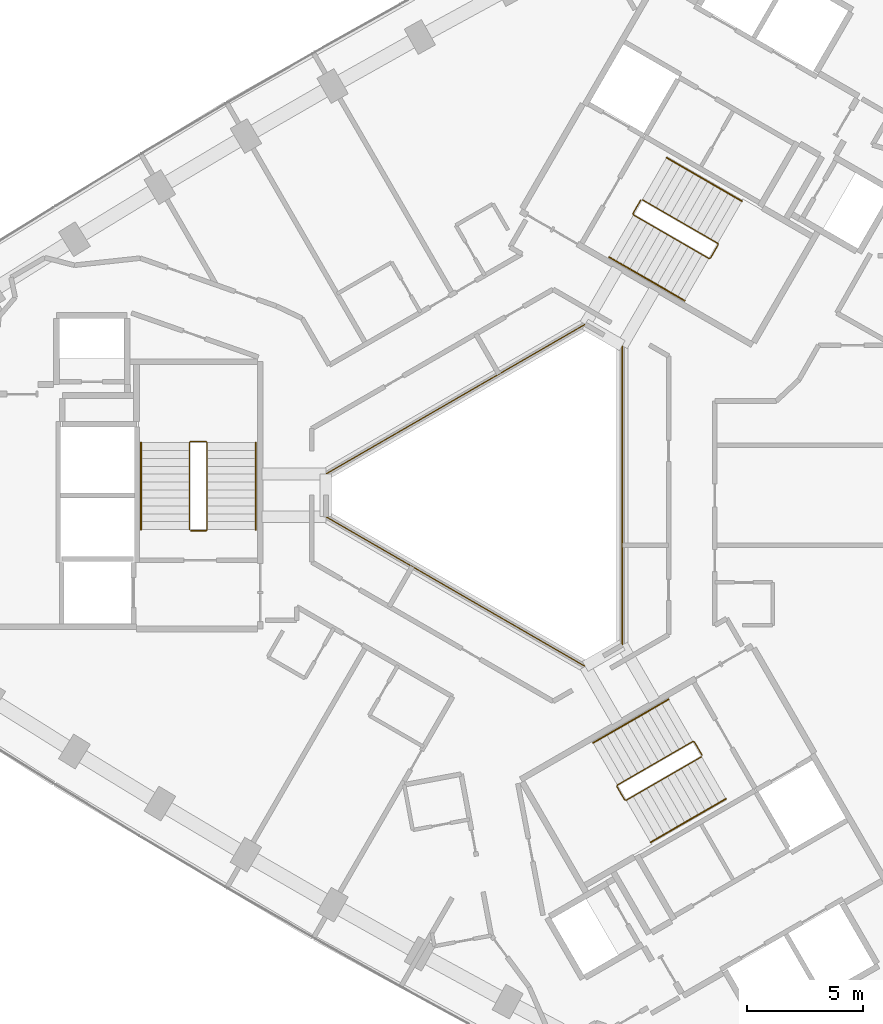
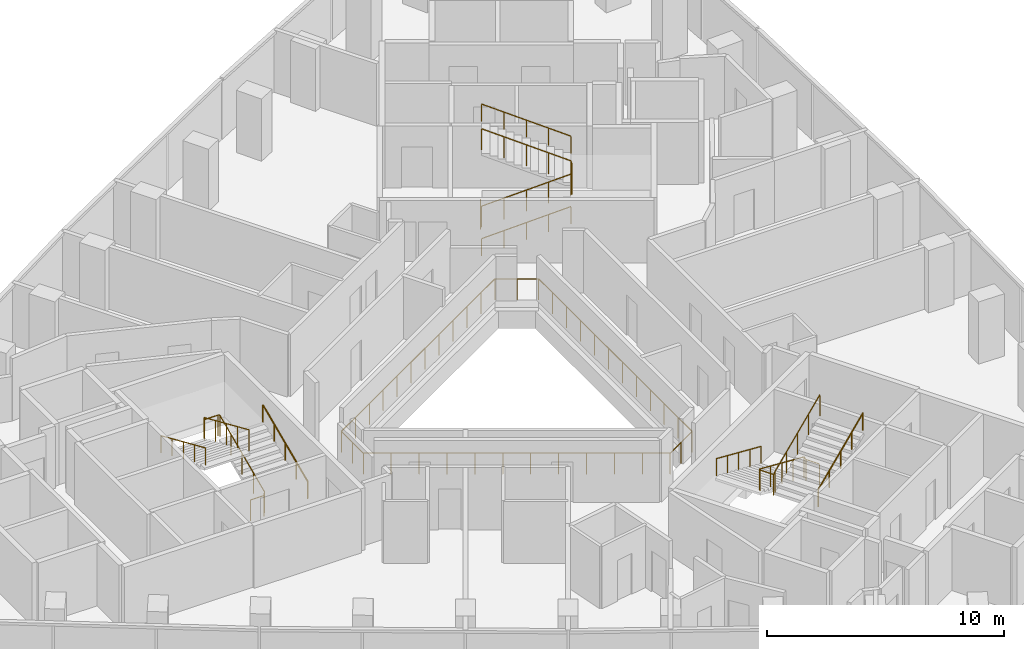
# One storey, part 13 of 13: 10 railings.
"""IFC4 building model written with IfcOpenShell, lengths in metres."""

from ifc_helpers import new_model, si_unit, direction, frame, origin, origin_2d, place, context, subcontext, project, spatial, circle, extrude, material, type_object, element, save


model = new_model("IFC4")

# Units and contexts
model_context = context("Model", 3, precision=1e-05, world=origin(), true_north=direction((0.0, 1.0)))
body_context = subcontext(model_context, "Body", "Model", "MODEL_VIEW")
ifc_project = project(units=[si_unit("LENGTHUNIT", "METRE"), si_unit("AREAUNIT", "SQUARE_METRE"), si_unit("VOLUMEUNIT", "CUBIC_METRE"), si_unit("PLANEANGLEUNIT", "RADIAN"), si_unit("MASSUNIT", "GRAM", prefix="KILO")], contexts=[model_context])

# Site, building, storey
site_placement = place(None, origin())
site = spatial("IfcSite", under=ifc_project, at=site_placement, CompositionType="ELEMENT")
building_placement = place(site_placement, origin())
building = spatial("IfcBuilding", under=site, at=building_placement, Name="Tamra Quay Hotel Tower", CompositionType="ELEMENT")
storey_placement = place(building_placement, frame((0.0, 0.0, 132.39990234375)))
storey = spatial("IfcBuildingStorey", under=building, at=storey_placement, Name="L32", CompositionType="ELEMENT", Elevation=132.39990234375)

# Railings
ifc_material_1 = material(Name="Guard atrium edge 1100")
railing_type_1 = type_object("IfcRailingType", Name="Guard atrium edge 1100", PredefinedType="GUARDRAIL", material=ifc_material_1)
railing_1_placement = place(storey_placement, frame((4.800048828125, -6.466064453125, 0.0)))
element("IfcRailing", 1, at=railing_1_placement, inside=storey, type_object=railing_type_1, Name="G-A", PredefinedType="GUARDRAIL", context=body_context, shape_type="SweptSolid", body=[
    extrude(circle(Radius=0.02392578125, at=origin_2d()), frame((0.0, 0.0, 1.076171875), z_axis=(-0.86602275259, -0.500004591975, 0.0), x_axis=(0.500004591975, -0.86602275259, 0.0)), (0.0, 0.0, 1.0), 1.84765625),
    extrude(circle(Radius=0.02392578125, at=origin_2d()), frame((-1.60009765625, -0.923828125, 1.076171875), z_axis=(-0.86604129137, 0.499972480886, 0.0), x_axis=(-0.499972480886, -0.86604129137, 0.0)), (0.0, 0.0, 1.0), 12.932373046875),
    extrude(circle(Radius=0.02392578125, at=origin_2d()), frame((-12.800048828125, 5.5419921875, 1.076171875), z_axis=(0.0, 1.0, 0.0), x_axis=(-1.0, 0.0, 0.0)), (0.0, 0.0, 1.0), 1.84814453125),
    extrude(circle(Radius=0.02392578125, at=origin_2d()), frame((-12.800048828125, 7.39013671875, 1.076171875), z_axis=(0.86604129137, 0.499972480886, 0.0), x_axis=(-0.499972480886, 0.86604129137, 0.0)), (0.0, 0.0, 1.0), 12.932373046875),
    extrude(circle(Radius=0.02392578125, at=origin_2d()), frame((-1.60009765625, 13.85595703125, 1.076171875), z_axis=(0.86602275259, -0.500004591975, 0.0), x_axis=(0.500004591975, 0.86602275259, 0.0)), (0.0, 0.0, 1.0), 1.84765625),
    extrude(circle(Radius=0.02392578125, at=origin_2d()), frame((0.0, 12.93212890625, 1.076171875), z_axis=(0.0, -1.0, 0.0), x_axis=(1.0, 0.0, 0.0)), (0.0, 0.0, 1.0), 12.93212890625),
    extrude(circle(Radius=0.02099609375, at=origin_2d()), origin(), (0.0, 0.0, 1.0), 1.052001953125),
    extrude(circle(Radius=0.02099609375, at=origin_2d()), frame((-0.800048828125, -0.4619140625, 0.0)), (0.0, 0.0, 1.0), 1.052001953125),
    extrude(circle(Radius=0.02099609375, at=origin_2d()), frame((-1.60009765625, -0.923828125, 0.0)), (0.0, 0.0, 1.0), 1.052001953125),
    extrude(circle(Radius=0.02099609375, at=origin_2d()), frame((-2.6181640625, -0.3359375, 0.0)), (0.0, 0.0, 1.0), 1.052001953125),
    extrude(circle(Radius=0.02099609375, at=origin_2d()), frame((-3.636474609375, 0.251708984375, 0.0)), (0.0, 0.0, 1.0), 1.052001953125),
    extrude(circle(Radius=0.02099609375, at=origin_2d()), frame((-4.654541015625, 0.839599609375, 0.0)), (0.0, 0.0, 1.0), 1.052001953125),
    extrude(circle(Radius=0.02099609375, at=origin_2d()), frame((-5.6728515625, 1.427490234375, 0.0)), (0.0, 0.0, 1.0), 1.052001953125),
    extrude(circle(Radius=0.02099609375, at=origin_2d()), frame((-6.69091796875, 2.01513671875, 0.0)), (0.0, 0.0, 1.0), 1.052001953125),
    extrude(circle(Radius=0.02099609375, at=origin_2d()), frame((-7.709228515625, 2.60302734375, 0.0)), (0.0, 0.0, 1.0), 1.052001953125),
    extrude(circle(Radius=0.02099609375, at=origin_2d()), frame((-8.727294921875, 3.190673828125, 0.0)), (0.0, 0.0, 1.0), 1.052001953125),
    extrude(circle(Radius=0.02099609375, at=origin_2d()), frame((-9.74560546875, 3.778564453125, 0.0)), (0.0, 0.0, 1.0), 1.052001953125),
    extrude(circle(Radius=0.02099609375, at=origin_2d()), frame((-10.763671875, 4.366455078125, 0.0)), (0.0, 0.0, 1.0), 1.052001953125),
    extrude(circle(Radius=0.02099609375, at=origin_2d()), frame((-11.781982421875, 4.9541015625, 0.0)), (0.0, 0.0, 1.0), 1.052001953125),
    extrude(circle(Radius=0.02099609375, at=origin_2d()), frame((-12.800048828125, 5.5419921875, 0.0)), (0.0, 0.0, 1.0), 1.052001953125),
    extrude(circle(Radius=0.02099609375, at=origin_2d()), frame((-12.800048828125, 6.466064453125, 0.0)), (0.0, 0.0, 1.0), 1.052001953125),
    extrude(circle(Radius=0.02099609375, at=origin_2d()), frame((-12.800048828125, 7.39013671875, 0.0)), (0.0, 0.0, 1.0), 1.052001953125),
    extrude(circle(Radius=0.02099609375, at=origin_2d()), frame((-11.781982421875, 7.97802734375, 0.0)), (0.0, 0.0, 1.0), 1.052001953125),
    extrude(circle(Radius=0.02099609375, at=origin_2d()), frame((-10.763671875, 8.565673828125, 0.0)), (0.0, 0.0, 1.0), 1.052001953125),
    extrude(circle(Radius=0.02099609375, at=origin_2d()), frame((-9.74560546875, 9.153564453125, 0.0)), (0.0, 0.0, 1.0), 1.052001953125),
    extrude(circle(Radius=0.02099609375, at=origin_2d()), frame((-8.727294921875, 9.741455078125, 0.0)), (0.0, 0.0, 1.0), 1.052001953125),
    extrude(circle(Radius=0.02099609375, at=origin_2d()), frame((-7.709228515625, 10.3291015625, 0.0)), (0.0, 0.0, 1.0), 1.052001953125),
    extrude(circle(Radius=0.02099609375, at=origin_2d()), frame((-6.69091796875, 10.9169921875, 0.0)), (0.0, 0.0, 1.0), 1.052001953125),
    extrude(circle(Radius=0.02099609375, at=origin_2d()), frame((-5.6728515625, 11.504638671875, 0.0)), (0.0, 0.0, 1.0), 1.052001953125),
    extrude(circle(Radius=0.02099609375, at=origin_2d()), frame((-4.654541015625, 12.092529296875, 0.0)), (0.0, 0.0, 1.0), 1.052001953125),
    extrude(circle(Radius=0.02099609375, at=origin_2d()), frame((-3.636474609375, 12.680419921875, 0.0)), (0.0, 0.0, 1.0), 1.052001953125),
    extrude(circle(Radius=0.02099609375, at=origin_2d()), frame((-2.6181640625, 13.26806640625, 0.0)), (0.0, 0.0, 1.0), 1.052001953125),
    extrude(circle(Radius=0.02099609375, at=origin_2d()), frame((-1.60009765625, 13.85595703125, 0.0)), (0.0, 0.0, 1.0), 1.052001953125),
    extrude(circle(Radius=0.02099609375, at=origin_2d()), frame((-0.800048828125, 13.39404296875, 0.0)), (0.0, 0.0, 1.0), 1.052001953125),
    extrude(circle(Radius=0.02099609375, at=origin_2d()), frame((0.0, 12.93212890625, 0.0)), (0.0, 0.0, 1.0), 1.052001953125),
    extrude(circle(Radius=0.02099609375, at=origin_2d()), frame((0.0, 11.756591796875, 0.0)), (0.0, 0.0, 1.0), 1.052001953125),
    extrude(circle(Radius=0.02099609375, at=origin_2d()), frame((0.0, 10.580810546875, 0.0)), (0.0, 0.0, 1.0), 1.052001953125),
    extrude(circle(Radius=0.02099609375, at=origin_2d()), frame((0.0, 9.4052734375, 0.0)), (0.0, 0.0, 1.0), 1.052001953125),
    extrude(circle(Radius=0.02099609375, at=origin_2d()), frame((0.0, 8.2294921875, 0.0)), (0.0, 0.0, 1.0), 1.052001953125),
    extrude(circle(Radius=0.02099609375, at=origin_2d()), frame((0.0, 7.053955078125, 0.0)), (0.0, 0.0, 1.0), 1.052001953125),
    extrude(circle(Radius=0.02099609375, at=origin_2d()), frame((0.0, 5.878173828125, 0.0)), (0.0, 0.0, 1.0), 1.052001953125),
    extrude(circle(Radius=0.02099609375, at=origin_2d()), frame((0.0, 4.70263671875, 0.0)), (0.0, 0.0, 1.0), 1.052001953125),
    extrude(circle(Radius=0.02099609375, at=origin_2d()), frame((0.0, 3.52685546875, 0.0)), (0.0, 0.0, 1.0), 1.052001953125),
    extrude(circle(Radius=0.02099609375, at=origin_2d()), frame((0.0, 2.351318359375, 0.0)), (0.0, 0.0, 1.0), 1.052001953125),
    extrude(circle(Radius=0.02099609375, at=origin_2d()), frame((0.0, 1.175537109375, 0.0)), (0.0, 0.0, 1.0), 1.052001953125),
])
ifc_material_2 = material(Name="Stair guard 1100")
railing_type_2 = type_object("IfcRailingType", Name="Stair guard 1100", PredefinedType="GUARDRAIL", material=ifc_material_2)
railing_2_placement = place(storey_placement, frame((-13.84130859375, -1.530029296875, 0.0)))
element("IfcRailing", 2, at=railing_2_placement, inside=storey, type_object=railing_type_2, Name="GR", PredefinedType="GUARDRAIL", context=body_context, shape_type="SweptSolid", body=[
    extrude(circle(Radius=0.02392578125, at=origin_2d()), frame((0.0, 0.0, 1.076171875), z_axis=(1.0, 0.0, 0.0), x_axis=(0.0, 1.0, 0.0)), (0.0, 0.0, 1.0), 0.658935546875),
    extrude(circle(Radius=0.02392578125, at=origin_2d()), frame((0.658935546875, 0.0, 1.076171875), z_axis=(0.301511344578, 0.301511344578, 0.904534033733), x_axis=(-0.707106781187, 0.707106781187, 0.0)), (0.0, 0.0, 1.0), 0.166015625),
    extrude(circle(Radius=0.02392578125, at=origin_2d()), frame((0.708984375, 0.050048828125, 1.22607421875), z_axis=(0.0, 0.915795495799, 0.401644880304), x_axis=(-1.0, 0.0, 0.0)), (0.0, 0.0, 1.0), 4.10791015625),
    extrude(circle(Radius=0.02392578125, at=origin_2d()), frame((0.708984375, 3.81201171875, 2.8759765625), z_axis=(-0.708833529934, 0.705375805398, 0.0), x_axis=(-0.705375805398, -0.708833529934, 0.0)), (0.0, 0.0, 1.0), 0.070556640625),
    extrude(circle(Radius=0.02392578125, at=origin_2d()), frame((0.658935546875, 3.86181640625, 2.8759765625), z_axis=(-1.0, 0.0, 0.0), x_axis=(0.0, -1.0, 0.0)), (0.0, 0.0, 1.0), 0.658935546875),
    extrude(circle(Radius=0.02392578125, at=origin_2d()), frame((0.0, 3.86181640625, 2.8759765625), z_axis=(-0.301644814947, -0.300173376825, 0.904934444842), x_axis=(0.705375805398, -0.708833529934, 0.0)), (0.0, 0.0, 1.0), 0.166015625),
    extrude(circle(Radius=0.02392578125, at=origin_2d()), frame((-0.050048828125, 3.81201171875, 3.0263671875), z_axis=(0.0, -0.915795495799, 0.401644880304), x_axis=(1.0, 0.0, 0.0)), (0.0, 0.0, 1.0), 4.10791015625),
    extrude(circle(Radius=0.02099609375, at=origin_2d()), origin(), (0.0, 0.0, 1.0), 1.052001953125),
    extrude(circle(Radius=0.02099609375, at=origin_2d()), frame((0.658935546875, 0.0, 0.0)), (0.0, 0.0, 1.0), 1.052001953125),
    extrude(circle(Radius=0.02099609375, at=origin_2d()), frame((0.708984375, 0.050048828125, 0.150146484375)), (0.0, 0.0, 1.0), 1.052001953125),
    extrude(circle(Radius=0.02099609375, at=origin_2d()), frame((0.708984375, 0.990478515625, 0.5625)), (0.0, 0.0, 1.0), 1.052001953125),
    extrude(circle(Radius=0.02099609375, at=origin_2d()), frame((0.708984375, 1.93115234375, 0.97509765625)), (0.0, 0.0, 1.0), 1.052001953125),
    extrude(circle(Radius=0.02099609375, at=origin_2d()), frame((0.708984375, 2.87158203125, 1.3876953125)), (0.0, 0.0, 1.0), 1.052001953125),
    extrude(circle(Radius=0.02099609375, at=origin_2d()), frame((0.708984375, 3.81201171875, 1.800048828125)), (0.0, 0.0, 1.0), 1.052001953125),
    extrude(circle(Radius=0.02099609375, at=origin_2d()), frame((0.658935546875, 3.86181640625, 1.800048828125)), (0.0, 0.0, 1.0), 1.052001953125),
    extrude(circle(Radius=0.02099609375, at=origin_2d()), frame((0.0, 3.86181640625, 1.800048828125)), (0.0, 0.0, 1.0), 1.052001953125),
    extrude(circle(Radius=0.02099609375, at=origin_2d()), frame((-0.050048828125, 3.81201171875, 1.9501953125)), (0.0, 0.0, 1.0), 1.052001953125),
    extrude(circle(Radius=0.02099609375, at=origin_2d()), frame((-0.050048828125, 2.87158203125, 2.36279296875)), (0.0, 0.0, 1.0), 1.052001953125),
    extrude(circle(Radius=0.02099609375, at=origin_2d()), frame((-0.050048828125, 1.93115234375, 2.775146484375)), (0.0, 0.0, 1.0), 1.052001953125),
    extrude(circle(Radius=0.02099609375, at=origin_2d()), frame((-0.050048828125, 0.990478515625, 3.1875)), (0.0, 0.0, 1.0), 1.052001953125),
    extrude(circle(Radius=0.02099609375, at=origin_2d()), frame((-0.050048828125, 0.050048828125, 3.60009765625)), (0.0, 0.0, 1.0), 1.052001953125),
])
railing_3_placement = place(storey_placement, frame((5.595458984375, 12.751953125, 0.0)))
element("IfcRailing", 3, at=railing_3_placement, inside=storey, type_object=railing_type_2, Name="GR", PredefinedType="GUARDRAIL", context=body_context, shape_type="SweptSolid", body=[
    extrude(circle(Radius=0.02392578125, at=origin_2d()), frame((0.0, 0.0, 1.076171875), z_axis=(-0.499765215335, -0.866160914346, 0.0), x_axis=(0.866160914346, -0.499765215335, 0.0)), (0.0, 0.0, 1.0), 0.658935546875),
    extrude(circle(Radius=0.02392578125, at=origin_2d()), frame((-0.329345703125, -0.57080078125, 1.076171875), z_axis=(0.110378772244, -0.410609032747, 0.905105932399), x_axis=(0.965715946433, 0.259601060869, 0.0)), (0.0, 0.0, 1.0), 0.165771484375),
    extrude(circle(Radius=0.02392578125, at=origin_2d()), frame((-0.31103515625, -0.638916015625, 1.22607421875), z_axis=(0.793078462799, -0.457933869594, 0.401650498471), x_axis=(0.500040788363, 0.866001853331, 0.0)), (0.0, 0.0, 1.0), 4.10791015625),
    extrude(circle(Radius=0.02392578125, at=origin_2d()), frame((2.94677734375, -2.52001953125, 2.8759765625), z_axis=(0.965948051503, 0.258736085224, 0.0), x_axis=(-0.258736085224, 0.965948051503, 0.0)), (0.0, 0.0, 1.0), 0.07080078125),
    extrude(circle(Radius=0.02392578125, at=origin_2d()), frame((3.01513671875, -2.501708984375, 2.8759765625), z_axis=(0.500043078269, 0.866000531106, 0.0), x_axis=(-0.866000531106, 0.500043078269, 0.0)), (0.0, 0.0, 1.0), 0.6591796875),
    extrude(circle(Radius=0.02392578125, at=origin_2d()), frame((3.3447265625, -1.930908203125, 2.8759765625), z_axis=(-0.110378772244, 0.410609032747, 0.905105932399), x_axis=(-0.965715946433, -0.259601060869, 0.0)), (0.0, 0.0, 1.0), 0.165771484375),
    extrude(circle(Radius=0.02392578125, at=origin_2d()), frame((3.326416015625, -1.86279296875, 3.0263671875), z_axis=(-0.793100512587, 0.457912285461, 0.401631567183), x_axis=(-0.500012686397, -0.866018079166, 0.0)), (0.0, 0.0, 1.0), 4.10791015625),
    extrude(circle(Radius=0.02099609375, at=origin_2d()), origin(), (0.0, 0.0, 1.0), 1.052001953125),
    extrude(circle(Radius=0.02099609375, at=origin_2d()), frame((-0.329345703125, -0.57080078125, 0.0)), (0.0, 0.0, 1.0), 1.052001953125),
    extrude(circle(Radius=0.02099609375, at=origin_2d()), frame((-0.31103515625, -0.638916015625, 0.150146484375)), (0.0, 0.0, 1.0), 1.052001953125),
    extrude(circle(Radius=0.02099609375, at=origin_2d()), frame((0.50341796875, -1.109130859375, 0.5625)), (0.0, 0.0, 1.0), 1.052001953125),
    extrude(circle(Radius=0.02099609375, at=origin_2d()), frame((1.31787109375, -1.57958984375, 0.97509765625)), (0.0, 0.0, 1.0), 1.052001953125),
    extrude(circle(Radius=0.02099609375, at=origin_2d()), frame((2.13232421875, -2.0498046875, 1.3876953125)), (0.0, 0.0, 1.0), 1.052001953125),
    extrude(circle(Radius=0.02099609375, at=origin_2d()), frame((2.94677734375, -2.52001953125, 1.800048828125)), (0.0, 0.0, 1.0), 1.052001953125),
    extrude(circle(Radius=0.02099609375, at=origin_2d()), frame((3.01513671875, -2.501708984375, 1.800048828125)), (0.0, 0.0, 1.0), 1.052001953125),
    extrude(circle(Radius=0.02099609375, at=origin_2d()), frame((3.3447265625, -1.930908203125, 1.800048828125)), (0.0, 0.0, 1.0), 1.052001953125),
    extrude(circle(Radius=0.02099609375, at=origin_2d()), frame((3.326416015625, -1.86279296875, 1.9501953125)), (0.0, 0.0, 1.0), 1.052001953125),
    extrude(circle(Radius=0.02099609375, at=origin_2d()), frame((2.511962890625, -1.392578125, 2.36279296875)), (0.0, 0.0, 1.0), 1.052001953125),
    extrude(circle(Radius=0.02099609375, at=origin_2d()), frame((1.697265625, -0.92236328125, 2.775146484375)), (0.0, 0.0, 1.0), 1.052001953125),
    extrude(circle(Radius=0.02099609375, at=origin_2d()), frame((0.8828125, -0.451904296875, 3.1875)), (0.0, 0.0, 1.0), 1.052001953125),
    extrude(circle(Radius=0.02099609375, at=origin_2d()), frame((0.068359375, 0.018310546875, 3.60009765625)), (0.0, 0.0, 1.0), 1.052001953125),
])
railing_4_placement = place(storey_placement, frame((8.245849609375, -11.221923828125, 0.0)))
element("IfcRailing", 4, at=railing_4_placement, inside=storey, type_object=railing_type_2, Name="GR", PredefinedType="GUARDRAIL", context=body_context, shape_type="SweptSolid", body=[
    extrude(circle(Radius=0.02392578125, at=origin_2d()), frame((0.0, 0.0, 1.076171875), z_axis=(-0.500043078269, 0.866000531106, 0.0), x_axis=(-0.866000531106, -0.500043078269, 0.0)), (0.0, 0.0, 1.0), 0.6591796875),
    extrude(circle(Radius=0.02392578125, at=origin_2d()), frame((-0.32958984375, 0.57080078125, 1.076171875), z_axis=(-0.411831509231, 0.110312011401, 0.90455849349), x_axis=(-0.258736085224, -0.965948051503, 0.0)), (0.0, 0.0, 1.0), 0.166015625),
    extrude(circle(Radius=0.02392578125, at=origin_2d()), frame((-0.39794921875, 0.589111328125, 1.22607421875), z_axis=(-0.793100512587, -0.457912285461, 0.401631567183), x_axis=(0.500012686397, -0.866018079166, 0.0)), (0.0, 0.0, 1.0), 4.10791015625),
    extrude(circle(Radius=0.02392578125, at=origin_2d()), frame((-3.656005859375, -1.2919921875, 2.8759765625), z_axis=(-0.256368644879, -0.966579080015, 0.0), x_axis=(0.966579080015, -0.256368644879, 0.0)), (0.0, 0.0, 1.0), 0.070556640625),
    extrude(circle(Radius=0.02392578125, at=origin_2d()), frame((-3.674072265625, -1.360107421875, 2.8759765625), z_axis=(0.499765215335, -0.866160914346, 0.0), x_axis=(0.866160914346, 0.499765215335, 0.0)), (0.0, 0.0, 1.0), 0.658935546875),
    extrude(circle(Radius=0.02392578125, at=origin_2d()), frame((-3.3447265625, -1.930908203125, 2.8759765625), z_axis=(0.411831509231, -0.110312011401, 0.90455849349), x_axis=(0.258736085224, 0.965948051503, 0.0)), (0.0, 0.0, 1.0), 0.166015625),
    extrude(circle(Radius=0.02392578125, at=origin_2d()), frame((-3.2763671875, -1.94921875, 3.0263671875), z_axis=(0.793100512587, 0.457912285461, 0.401631567183), x_axis=(-0.500012686397, 0.866018079166, 0.0)), (0.0, 0.0, 1.0), 4.10791015625),
    extrude(circle(Radius=0.02099609375, at=origin_2d()), origin(), (0.0, 0.0, 1.0), 1.052001953125),
    extrude(circle(Radius=0.02099609375, at=origin_2d()), frame((-0.32958984375, 0.57080078125, 0.0)), (0.0, 0.0, 1.0), 1.052001953125),
    extrude(circle(Radius=0.02099609375, at=origin_2d()), frame((-0.39794921875, 0.589111328125, 0.150146484375)), (0.0, 0.0, 1.0), 1.052001953125),
    extrude(circle(Radius=0.02099609375, at=origin_2d()), frame((-1.21240234375, 0.118896484375, 0.5625)), (0.0, 0.0, 1.0), 1.052001953125),
    extrude(circle(Radius=0.02099609375, at=origin_2d()), frame((-2.02685546875, -0.3515625, 0.97509765625)), (0.0, 0.0, 1.0), 1.052001953125),
    extrude(circle(Radius=0.02099609375, at=origin_2d()), frame((-2.841552734375, -0.82177734375, 1.3876953125)), (0.0, 0.0, 1.0), 1.052001953125),
    extrude(circle(Radius=0.02099609375, at=origin_2d()), frame((-3.656005859375, -1.2919921875, 1.800048828125)), (0.0, 0.0, 1.0), 1.052001953125),
    extrude(circle(Radius=0.02099609375, at=origin_2d()), frame((-3.674072265625, -1.360107421875, 1.800048828125)), (0.0, 0.0, 1.0), 1.052001953125),
    extrude(circle(Radius=0.02099609375, at=origin_2d()), frame((-3.3447265625, -1.930908203125, 1.800048828125)), (0.0, 0.0, 1.0), 1.052001953125),
    extrude(circle(Radius=0.02099609375, at=origin_2d()), frame((-3.2763671875, -1.94921875, 1.9501953125)), (0.0, 0.0, 1.0), 1.052001953125),
    extrude(circle(Radius=0.02099609375, at=origin_2d()), frame((-2.4619140625, -1.47900390625, 2.36279296875)), (0.0, 0.0, 1.0), 1.052001953125),
    extrude(circle(Radius=0.02099609375, at=origin_2d()), frame((-1.6474609375, -1.0087890625, 2.775146484375)), (0.0, 0.0, 1.0), 1.052001953125),
    extrude(circle(Radius=0.02099609375, at=origin_2d()), frame((-0.832763671875, -0.538330078125, 3.1875)), (0.0, 0.0, 1.0), 1.052001953125),
    extrude(circle(Radius=0.02099609375, at=origin_2d()), frame((-0.018310546875, -0.068115234375, 3.60009765625)), (0.0, 0.0, 1.0), 1.052001953125),
])
ifc_material_3 = material(Name="Stair handrail 900")
railing_type_3 = type_object("IfcRailingType", Name="Stair handrail 900", PredefinedType="HANDRAIL", material=ifc_material_3)
railing_5_placement = place(storey_placement, frame((-11.0322265625, -1.47998046875, 0.150146484375)))
element("IfcRailing", 5, at=railing_5_placement, inside=storey, type_object=railing_type_3, Name="HR", PredefinedType="HANDRAIL", context=body_context, shape_type="SweptSolid", body=[
    extrude(circle(Radius=0.02392578125, at=origin_2d()), frame((0.0, 0.0, 0.8759765625), z_axis=(0.0, 0.915795495799, 0.401644880304), x_axis=(-1.0, 0.0, 0.0)), (0.0, 0.0, 1.0), 4.10791015625),
    extrude(circle(Radius=0.02099609375, at=origin_2d()), origin(), (0.0, 0.0, 1.0), 0.851806640625),
    extrude(circle(Radius=0.02099609375, at=origin_2d()), frame((0.0, 0.9404296875, 0.41259765625)), (0.0, 0.0, 1.0), 0.851806640625),
    extrude(circle(Radius=0.02099609375, at=origin_2d()), frame((0.0, 1.880859375, 0.824951171875)), (0.0, 0.0, 1.0), 0.851806640625),
    extrude(circle(Radius=0.02099609375, at=origin_2d()), frame((0.0, 2.821533203125, 1.2373046875)), (0.0, 0.0, 1.0), 0.851806640625),
    extrude(circle(Radius=0.02099609375, at=origin_2d()), frame((0.0, 3.761962890625, 1.64990234375)), (0.0, 0.0, 1.0), 0.851806640625),
])
railing_6_placement = place(storey_placement, frame((-15.9912109375, 2.281982421875, 1.9501953125)))
element("IfcRailing", 6, at=railing_6_placement, inside=storey, type_object=railing_type_3, Name="HR", PredefinedType="HANDRAIL", context=body_context, shape_type="SweptSolid", body=[
    extrude(circle(Radius=0.02392578125, at=origin_2d()), frame((0.0, 0.0, 0.8759765625), z_axis=(0.0, -0.915795495799, 0.401644880304), x_axis=(1.0, 0.0, 0.0)), (0.0, 0.0, 1.0), 4.10791015625),
    extrude(circle(Radius=0.02099609375, at=origin_2d()), origin(), (0.0, 0.0, 1.0), 0.851806640625),
    extrude(circle(Radius=0.02099609375, at=origin_2d()), frame((0.0, -0.9404296875, 0.41259765625)), (0.0, 0.0, 1.0), 0.851806640625),
    extrude(circle(Radius=0.02099609375, at=origin_2d()), frame((0.0, -1.880859375, 0.824951171875)), (0.0, 0.0, 1.0), 0.851806640625),
    extrude(circle(Radius=0.02099609375, at=origin_2d()), frame((0.0, -2.821533203125, 1.2373046875)), (0.0, 0.0, 1.0), 0.851806640625),
    extrude(circle(Radius=0.02099609375, at=origin_2d()), frame((0.0, -3.761962890625, 1.64990234375)), (0.0, 0.0, 1.0), 0.851806640625),
])
railing_7_placement = place(storey_placement, frame((4.234375, 10.294189453125, 0.150146484375)))
element("IfcRailing", 7, at=railing_7_placement, inside=storey, type_object=railing_type_3, Name="HR", PredefinedType="HANDRAIL", context=body_context, shape_type="SweptSolid", body=[
    extrude(circle(Radius=0.02392578125, at=origin_2d()), frame((0.0, 0.0, 0.8759765625), z_axis=(0.793122095483, -0.45786531462, 0.401642496911), x_axis=(0.499964013922, 0.86604617936, 0.0)), (0.0, 0.0, 1.0), 4.10791015625),
    extrude(circle(Radius=0.02099609375, at=origin_2d()), origin(), (0.0, 0.0, 1.0), 0.851806640625),
    extrude(circle(Radius=0.02099609375, at=origin_2d()), frame((0.814453125, -0.47021484375, 0.41259765625)), (0.0, 0.0, 1.0), 0.851806640625),
    extrude(circle(Radius=0.02099609375, at=origin_2d()), frame((1.62890625, -0.9404296875, 0.824951171875)), (0.0, 0.0, 1.0), 0.851806640625),
    extrude(circle(Radius=0.02099609375, at=origin_2d()), frame((2.443603515625, -1.41064453125, 1.2373046875)), (0.0, 0.0, 1.0), 0.851806640625),
    extrude(circle(Radius=0.02099609375, at=origin_2d()), frame((3.258056640625, -1.880859375, 1.64990234375)), (0.0, 0.0, 1.0), 0.851806640625),
])
railing_8_placement = place(storey_placement, frame((9.971923828125, 12.7080078125, 1.9501953125)))
element("IfcRailing", 8, at=railing_8_placement, inside=storey, type_object=railing_type_3, Name="HR", PredefinedType="HANDRAIL", context=body_context, shape_type="SweptSolid", body=[
    extrude(circle(Radius=0.02392578125, at=origin_2d()), frame((0.0, 0.0, 0.8759765625), z_axis=(-0.793122095483, 0.45786531462, 0.401642496911), x_axis=(-0.499964013922, -0.86604617936, 0.0)), (0.0, 0.0, 1.0), 4.10791015625),
    extrude(circle(Radius=0.02099609375, at=origin_2d()), origin(), (0.0, 0.0, 1.0), 0.851806640625),
    extrude(circle(Radius=0.02099609375, at=origin_2d()), frame((-0.814453125, 0.47021484375, 0.41259765625)), (0.0, 0.0, 1.0), 0.851806640625),
    extrude(circle(Radius=0.02099609375, at=origin_2d()), frame((-1.62890625, 0.9404296875, 0.824951171875)), (0.0, 0.0, 1.0), 0.851806640625),
    extrude(circle(Radius=0.02099609375, at=origin_2d()), frame((-2.443603515625, 1.41064453125, 1.2373046875)), (0.0, 0.0, 1.0), 0.851806640625),
    extrude(circle(Radius=0.02099609375, at=origin_2d()), frame((-3.258056640625, 1.880859375, 1.64990234375)), (0.0, 0.0, 1.0), 0.851806640625),
])
railing_9_placement = place(storey_placement, frame((6.7978515625, -8.814208984375, 0.150146484375)))
element("IfcRailing", 9, at=railing_9_placement, inside=storey, type_object=railing_type_3, Name="HR", PredefinedType="HANDRAIL", context=body_context, shape_type="SweptSolid", body=[
    extrude(circle(Radius=0.02392578125, at=origin_2d()), frame((0.0, 0.0, 0.8759765625), z_axis=(-0.79310004713, -0.457886897714, 0.401661429744), x_axis=(0.499992114976, -0.866029956157, 0.0)), (0.0, 0.0, 1.0), 4.107666015625),
    extrude(circle(Radius=0.02099609375, at=origin_2d()), origin(), (0.0, 0.0, 1.0), 0.851806640625),
    extrude(circle(Radius=0.02099609375, at=origin_2d()), frame((-0.814453125, -0.47021484375, 0.41259765625)), (0.0, 0.0, 1.0), 0.851806640625),
    extrude(circle(Radius=0.02099609375, at=origin_2d()), frame((-1.62890625, -0.9404296875, 0.824951171875)), (0.0, 0.0, 1.0), 0.851806640625),
    extrude(circle(Radius=0.02099609375, at=origin_2d()), frame((-2.443359375, -1.41064453125, 1.2373046875)), (0.0, 0.0, 1.0), 0.851806640625),
    extrude(circle(Radius=0.02099609375, at=origin_2d()), frame((-3.2578125, -1.880859375, 1.64990234375)), (0.0, 0.0, 1.0), 0.851806640625),
])
railing_10_placement = place(storey_placement, frame((6.01953125, -14.98974609375, 1.9501953125)))
element("IfcRailing", 10, at=railing_10_placement, inside=storey, type_object=railing_type_3, Name="HR", PredefinedType="HANDRAIL", context=body_context, shape_type="SweptSolid", body=[
    extrude(circle(Radius=0.02392578125, at=origin_2d()), frame((0.0, 0.0, 0.8759765625), z_axis=(0.79310004713, 0.457886897714, 0.401661429744), x_axis=(-0.499992114976, 0.866029956157, 0.0)), (0.0, 0.0, 1.0), 4.107666015625),
    extrude(circle(Radius=0.02099609375, at=origin_2d()), origin(), (0.0, 0.0, 1.0), 0.851806640625),
    extrude(circle(Radius=0.02099609375, at=origin_2d()), frame((0.814453125, 0.47021484375, 0.41259765625)), (0.0, 0.0, 1.0), 0.851806640625),
    extrude(circle(Radius=0.02099609375, at=origin_2d()), frame((1.62890625, 0.9404296875, 0.824951171875)), (0.0, 0.0, 1.0), 0.851806640625),
    extrude(circle(Radius=0.02099609375, at=origin_2d()), frame((2.443359375, 1.41064453125, 1.2373046875)), (0.0, 0.0, 1.0), 0.851806640625),
    extrude(circle(Radius=0.02099609375, at=origin_2d()), frame((3.2578125, 1.880859375, 1.64990234375)), (0.0, 0.0, 1.0), 0.851806640625),
])

save(model, "model.ifc")
